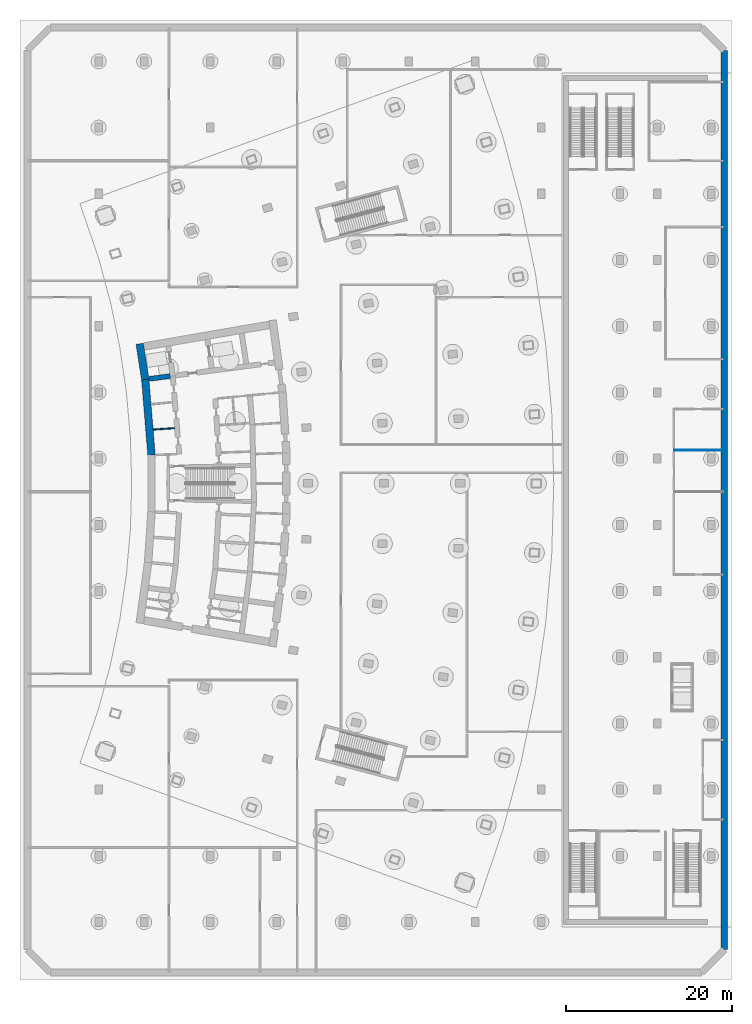
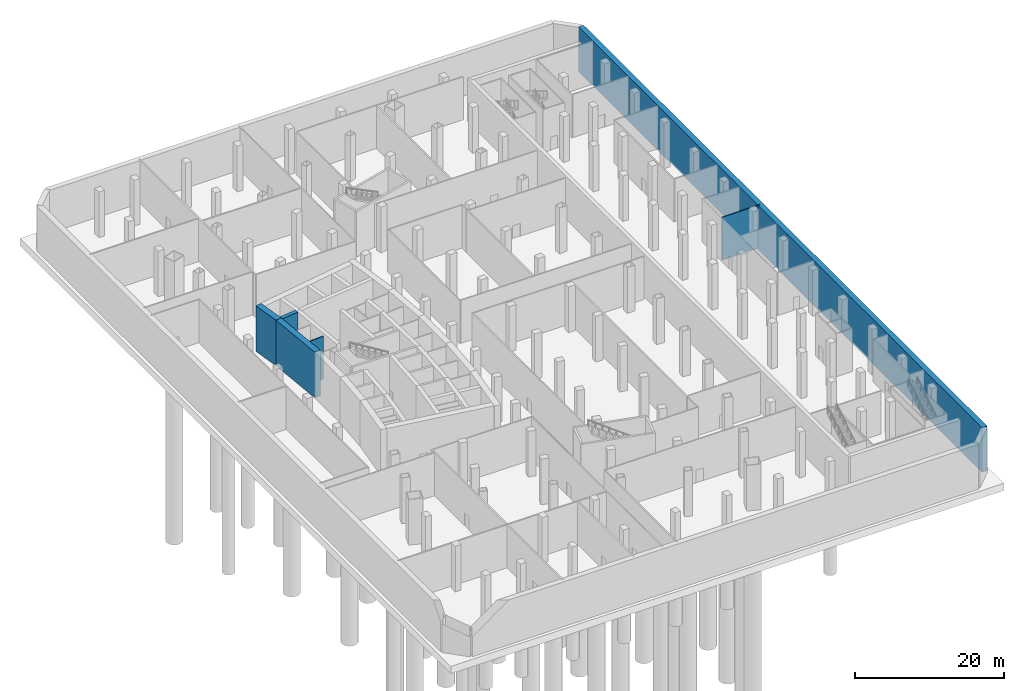
# One storey, part 10 of 19: 6 walls.
"""IFC4 building model written with IfcOpenShell, lengths in metres."""

import ifcopenshell
import ifcopenshell.guid

model = None  # the IFC model being written
_history = None  # IfcOwnerHistory: only IFC2X3 demands one
_inside = {}  # id of a spatial element -> (the spatial element, [elements in it])
_under = {}  # id of a project, library or spatial element -> (it, [spatial elements below it])
_declared = {}  # id of a project -> (the project, [libraries it declares])
_typed = {}  # id of a type object -> (the type object, [elements of that type])
_made_of = {}  # id of a material, layer set ... -> (it, [elements and type objects made of it])


def new_model(schema):
    """Start an empty IFC model of exactly this schema.

    Asked for "IFC4X3", IfcOpenShell would pick the latest addendum, in which some entities
    have other attributes; the version numbers below select the first issue.
    IFC2X3 requires an IfcOwnerHistory on every rooted entity: one is made here for all.
    """
    global model, _history
    if schema == "IFC4X3":
        model = ifcopenshell.file(schema_version=(4, 3, 0, 0))
    else:
        model = ifcopenshell.file(schema=schema)
    _inside.clear()
    _under.clear()
    _declared.clear()
    _typed.clear()
    _made_of.clear()
    _history = None
    if model.schema == "IFC2X3":
        org = make("IfcOrganization", Name="unknown")
        user = make(
            "IfcPersonAndOrganization",
            ThePerson=make("IfcPerson", FamilyName="unknown"),
            TheOrganization=org,
        )
        app = make(
            "IfcApplication",
            ApplicationDeveloper=org,
            Version="unknown",
            ApplicationFullName="unknown",
            ApplicationIdentifier="unknown",
        )
        _history = make(
            "IfcOwnerHistory",
            OwningUser=user,
            OwningApplication=app,
            ChangeAction="ADDED",
            CreationDate=0,
        )
    return model


def make(cls, **values):
    """One entity of the class cls with the attributes given. An attribute that is None is left unset."""
    return model.create_entity(
        cls, **{name: value for name, value in values.items() if value is not None}
    )


def rooted(cls, **values):
    """An entity with a GlobalId (a new one), such as an element, a storey or a relation."""
    return make(cls, GlobalId=ifcopenshell.guid.new(), OwnerHistory=_history, **values)


def si_unit(unit_type, name, prefix=None):
    """IfcSIUnit, for example si_unit("LENGTHUNIT", "METRE", prefix="MILLI")."""
    return make("IfcSIUnit", UnitType=unit_type, Prefix=prefix, Name=name)


def assignment(units):
    """IfcUnitAssignment: the units of a project."""
    return None if units is None else make("IfcUnitAssignment", Units=units)


def point(xyz):
    """IfcCartesianPoint."""
    return None if xyz is None else make("IfcCartesianPoint", Coordinates=xyz)


def direction(xyz):
    """IfcDirection."""
    return None if xyz is None else make("IfcDirection", DirectionRatios=xyz)


def frame(location, z_axis=None, x_axis=None):
    """IfcAxis2Placement3D, a coordinate frame: its origin and axes. An axis left out is left unset."""
    return make(
        "IfcAxis2Placement3D",
        Location=point(location),
        Axis=direction(z_axis),
        RefDirection=direction(x_axis),
    )


def frame_2d(location, x_axis=None):
    """IfcAxis2Placement2D, a coordinate frame in the plane: its origin and x axis."""
    return make(
        "IfcAxis2Placement2D", Location=point(location), RefDirection=direction(x_axis)
    )


def origin():
    """The frame at (0, 0, 0) with its axes left unset."""
    return frame((0.0, 0.0, 0.0))


def place(relative_to, where):
    """IfcLocalPlacement: puts the frame where relative to a parent placement (None: the world)."""
    return make(
        "IfcLocalPlacement", PlacementRelTo=relative_to, RelativePlacement=where
    )


def context(
    kind, dimensions, precision=None, world=None, true_north=None, identifier=None
):
    """IfcGeometricRepresentationContext, for example the 3D "Model" context."""
    return make(
        "IfcGeometricRepresentationContext",
        ContextIdentifier=identifier,
        ContextType=kind,
        CoordinateSpaceDimension=dimensions,
        Precision=precision,
        WorldCoordinateSystem=world,
        TrueNorth=true_north,
    )


def subcontext(parent, identifier, kind, view, scale=None):
    """IfcGeometricRepresentationSubContext, for example "Body" below "Model"."""
    return make(
        "IfcGeometricRepresentationSubContext",
        ContextIdentifier=identifier,
        ContextType=kind,
        ParentContext=parent,
        TargetScale=scale,
        TargetView=view,
    )


def project(units=None, contexts=None):
    """IfcProject with its units and contexts."""
    return rooted(
        "IfcProject",
        Name="project",
        RepresentationContexts=contexts,
        UnitsInContext=assignment(units),
    )


def spatial(cls, under=None, at=None, **own):
    """A site, building, storey or space (cls), placed at a placement, below another one or the project."""
    s = rooted(cls, ObjectPlacement=at, **own)
    if under is not None:
        _under.setdefault(under.id(), (under, []))[1].append(s)
    return s


def profile(cls, at=None, kind="AREA", **sizes):
    """A parametric profile (cls). Its sizes go by their IFC names, for example OverallWidth=200.0."""
    return make(cls, ProfileType=kind, Position=at, **sizes)


def rectangle(**sizes):
    """IfcRectangleProfileDef."""
    return profile("IfcRectangleProfileDef", **sizes)


def extrude(swept, where, along, depth):
    """IfcExtrudedAreaSolid: the profile swept, set in the frame where, extruded along a direction by depth."""
    return make(
        "IfcExtrudedAreaSolid",
        SweptArea=swept,
        Position=where,
        ExtrudedDirection=direction(along),
        Depth=depth,
    )


def shape(context_of_items, identifier, shape_type, items):
    """IfcShapeRepresentation: the items that make up one representation, for example the "Body"."""
    return make(
        "IfcShapeRepresentation",
        ContextOfItems=context_of_items,
        RepresentationIdentifier=identifier,
        RepresentationType=shape_type,
        Items=items,
    )


def material(Name=None, Category=None):
    """IfcMaterial."""
    return make("IfcMaterial", Name=Name, Category=Category)


def layer(
    of_material, thickness, ventilated=None, Name=None, Category=None, Priority=None
):
    """IfcMaterialLayer: one layer of a wall or slab, of a material (None: an air gap)."""
    return make(
        "IfcMaterialLayer",
        Material=of_material,
        LayerThickness=thickness,
        IsVentilated=ventilated,
        Name=Name,
        Category=Category,
        Priority=Priority,
    )


def layer_set(layers, Name=None):
    """IfcMaterialLayerSet."""
    return make("IfcMaterialLayerSet", MaterialLayers=layers, LayerSetName=Name)


def made_of(thing, what):
    """Note that an element or type object is made of a material, layer set ...; save() writes the relation."""
    if what is not None:
        _made_of.setdefault(what.id(), (what, []))[1].append(thing)
    return thing


def type_object(cls, material=None, **own):
    """A type object (cls), such as IfcWallType, which elements share."""
    return made_of(rooted(cls, **own), material)


def element(
    cls,
    number,
    at=None,
    inside=None,
    cuts=None,
    type_object=None,
    material=None,
    context=None,
    identifier="Body",
    shape_type=None,
    held_by="IfcProductDefinitionShape",
    body=None,
    shapes=None,
    **own,
):
    """One element of the class cls, such as IfcWall. Its Tag is "e" and its number.

    at: its placement. inside: the storey or other place that contains it. cuts: it is an
    opening in that element (IfcRelVoidsElement). A single representation is given by context,
    identifier, shape_type and body (its items); several are given by shapes. held_by: the class
    of the entity that holds the representations. save() writes the other relations.
    """
    e = rooted(cls, Tag="e%d" % number, ObjectPlacement=at, **own)
    if body is not None:
        shapes = [shape(context, identifier, shape_type, body)]
    if shapes is not None:
        e.Representation = make(held_by, Representations=shapes)
    if inside is not None:
        _inside.setdefault(inside.id(), (inside, []))[1].append(e)
    if cuts is not None:
        rooted(
            "IfcRelVoidsElement", RelatingBuildingElement=cuts, RelatedOpeningElement=e
        )
    if type_object is not None:
        _typed.setdefault(type_object.id(), (type_object, []))[1].append(e)
    return made_of(e, material)


def aggregate(whole, parts):
    """IfcRelAggregates: a whole, such as a stair, and the parts it consists of."""
    return rooted("IfcRelAggregates", RelatingObject=whole, RelatedObjects=parts)


def save(model, path):
    """Write the relations noted so far, then the file.

    IfcRelAggregates (storeys below a building ...), IfcRelContainedInSpatialStructure (elements
    in a storey), IfcRelDefinesByType, IfcRelAssociatesMaterial and IfcRelDeclares: one each for
    every whole, place, type object, material and project.
    """
    for whole, parts in _under.values():
        aggregate(whole, parts)
    for where, things in _inside.values():
        rooted(
            "IfcRelContainedInSpatialStructure",
            RelatedElements=things,
            RelatingStructure=where,
        )
    for kind, things in _typed.values():
        rooted("IfcRelDefinesByType", RelatedObjects=things, RelatingType=kind)
    for what, things in _made_of.values():
        rooted("IfcRelAssociatesMaterial", RelatedObjects=things, RelatingMaterial=what)
    for by, libraries in _declared.values():
        rooted("IfcRelDeclares", RelatingContext=by, RelatedDefinitions=libraries)
    model.write(path)


model = new_model("IFC4")

# Units and contexts
model_context = context("Model", 3, precision=1e-05, world=origin(), true_north=direction((0.0, 1.0)))
body_context = subcontext(model_context, "Body", "Model", "MODEL_VIEW")
ifc_project = project(units=[si_unit("LENGTHUNIT", "METRE"), si_unit("AREAUNIT", "SQUARE_METRE"), si_unit("VOLUMEUNIT", "CUBIC_METRE"), si_unit("PLANEANGLEUNIT", "RADIAN"), si_unit("MASSUNIT", "GRAM", prefix="KILO")], contexts=[model_context])

# Site, building, storey
site_placement = place(None, origin())
site = spatial("IfcSite", under=ifc_project, at=site_placement, CompositionType="ELEMENT")
building_placement = place(site_placement, origin())
building = spatial("IfcBuilding", under=site, at=building_placement, Name="Alderwake Tower", CompositionType="ELEMENT")
storey_placement = place(building_placement, frame((0.0, 0.0, -14.0)))
storey = spatial("IfcBuildingStorey", under=building, at=storey_placement, Name="B2", CompositionType="ELEMENT", Elevation=-14.0)

# Walls
ifc_material_1 = material(Name="Concrete C50/60", Category="concrete")
ifc_layer_1 = layer(ifc_material_1, 0.800048828125)
ifc_layer_set_1 = layer_set([ifc_layer_1], Name="Basement retaining wall 800")
wall_type_1 = type_object("IfcWallType", Name="Basement retaining wall 800", PredefinedType="SOLIDWALL", material=ifc_layer_set_1)
wall_1_placement = place(storey_placement, frame((86.10009765625, 113.334228515625, -0.300048828125), z_axis=(0.0, 0.0, 1.0), x_axis=(0.0, -1.0, 0.0)))
element("IfcWall", 1, at=wall_1_placement, inside=storey, type_object=wall_type_1, Name="Retaining wall 6", PredefinedType="SOLIDWALL", context=body_context, shape_type="SweptSolid", body=[
    extrude(rectangle(XDim=108.66845703125, YDim=0.800048828125, at=frame_2d((54.334228515625, 0.0))), origin(), (0.0, 0.0, 1.0), 7.35009765625),
])
ifc_material_2 = material(Name="Gypsum shaft wall system, rated")
ifc_layer_2 = layer(ifc_material_2, 0.14990234375)
ifc_layer_set_2 = layer_set([ifc_layer_2], Name="Core room partition 150")
wall_type_2 = type_object("IfcWallType", Name="Core room partition 150", PredefinedType="PARTITIONING", material=ifc_layer_set_2)
wall_2_placement = place(storey_placement, frame((17.115478515625, 67.510498046875, 0.0), z_axis=(0.0, 0.0, 1.0), x_axis=(0.99775517309, 0.06696726493, 0.0)))
element("IfcWall", 2, at=wall_2_placement, inside=storey, type_object=wall_type_2, Name="CW/B2/PR+70_+0", PredefinedType="PARTITIONING", context=body_context, shape_type="SweptSolid", body=[
    extrude(rectangle(XDim=2.566650390625, YDim=0.14990234375, at=frame_2d((1.283203125, 0.0))), origin(), (0.0, 0.0, 1.0), 7.050048828125),
])
ifc_material_3 = material(Name="Concrete C70/85", Category="concrete")
ifc_layer_3 = layer(ifc_material_3, 0.89990234375)
ifc_layer_set_3 = layer_set([ifc_layer_3], Name="Core wall outer 900 C70-85")
wall_type_3 = type_object("IfcWallType", Name="Core wall outer 900 C70-85", PredefinedType="SHEAR", material=ifc_layer_set_3)
wall_3_placement = place(storey_placement, frame((16.890869140625, 64.41064453125, 0.0), z_axis=(0.0, 0.0, 1.0), x_axis=(-0.082624275373, 0.996580768989, 0.0)))
element("IfcWall", 3, at=wall_3_placement, inside=storey, type_object=wall_type_3, Name="Core wall CW.040", PredefinedType="SHEAR", context=body_context, shape_type="SweptSolid", body=[
    extrude(rectangle(XDim=9.210205078125, YDim=0.89990234375, at=frame_2d((4.60498046875, 0.0))), origin(), (0.0, 0.0, 1.0), 7.5),
])
wall_4_placement = place(storey_placement, frame((16.1337890625, 73.557373046875, 0.0), z_axis=(0.0, 0.0, 1.0), x_axis=(-0.151956504286, 0.988387181627, 0.0)))
element("IfcWall", 4, at=wall_4_placement, inside=storey, type_object=wall_type_3, Name="Core wall CW.039", PredefinedType="SHEAR", context=body_context, shape_type="SweptSolid", body=[
    extrude(rectangle(XDim=4.373291015625, YDim=0.89990234375, at=frame_2d((2.1865234375, 0.0))), origin(), (0.0, 0.0, 1.0), 7.5),
])
ifc_material_4 = material(Name="Concrete C70/85", Category="concrete")
ifc_layer_4 = layer(ifc_material_4, 0.60009765625)
ifc_layer_set_4 = layer_set([ifc_layer_4], Name="Core wall spine 600 C70-85")
wall_type_4 = type_object("IfcWallType", Name="Core wall spine 600 C70-85", PredefinedType="SHEAR", material=ifc_layer_set_4)
wall_5_placement = place(storey_placement, frame((16.607666015625, 73.635498046875, 0.0), z_axis=(0.0, 0.0, 1.0), x_axis=(0.991551057449, 0.129717001478, 0.0)))
element("IfcWall", 5, at=wall_5_placement, inside=storey, type_object=wall_type_4, Name="Core wall CW.051", PredefinedType="SHEAR", context=body_context, shape_type="SweptSolid", body=[
    extrude(rectangle(XDim=2.569091796875, YDim=0.60009765625, at=frame_2d((1.28466796875, 0.0))), origin(), (0.0, 0.0, 1.0), 7.5),
])
ifc_material_5 = material(Name="Moisture resistant gypsum board on metal studs")
ifc_layer_5 = layer(ifc_material_5, 0.1201171875)
ifc_layer_set_5 = layer_set([ifc_layer_5], Name="Wet room partition 120")
wall_type_5 = type_object("IfcWallType", Name="Wet room partition 120", PredefinedType="PARTITIONING", material=ifc_layer_set_5)
wall_6_placement = place(storey_placement, frame((86.0009765625, 65.0009765625, 0.0), z_axis=(0.0, 0.0, 1.0), x_axis=(-1.0, 0.0, 0.0)))
element("IfcWall", 6, at=wall_6_placement, inside=storey, type_object=wall_type_5, Name="WL/B2/W76", PredefinedType="PARTITIONING", context=body_context, shape_type="SweptSolid", body=[
    extrude(rectangle(XDim=5.919921875, YDim=0.1201171875, at=frame_2d((2.9599609375, 0.0))), origin(), (0.0, 0.0, 1.0), 7.050048828125),
])

save(model, "model.ifc")
